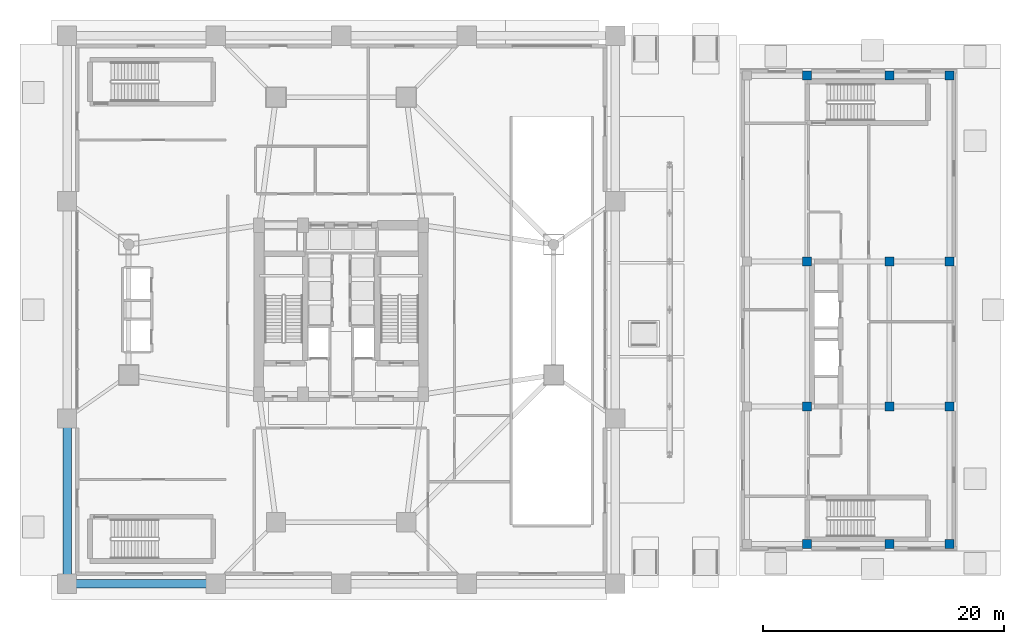
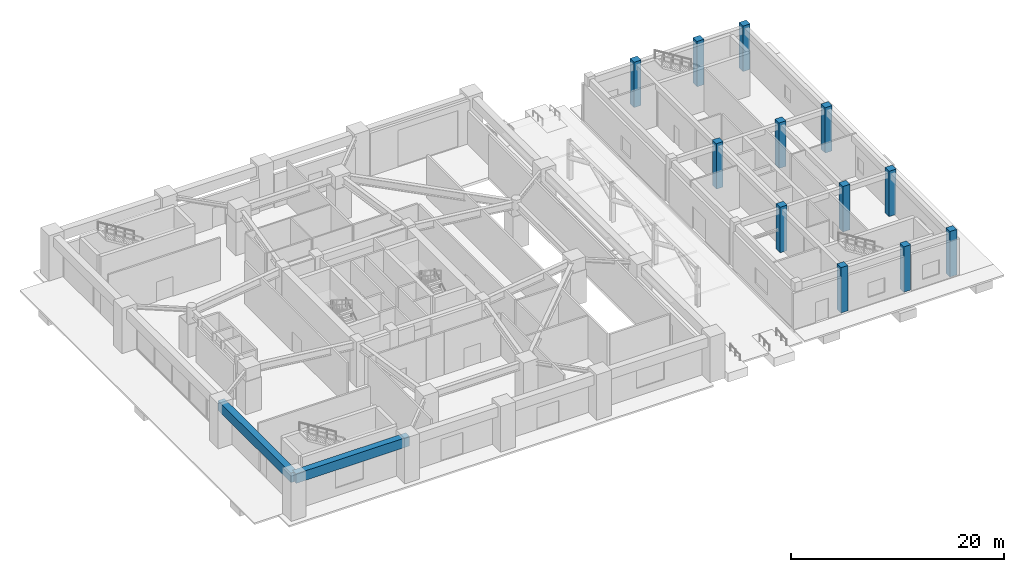
# One storey, part 3 of 27: 12 columns, 2 beams.
"""IFC4 building model written with IfcOpenShell, lengths in metres."""

from ifc_helpers import new_model, si_unit, direction, frame, origin, origin_2d, place, context, subcontext, project, spatial, rectangle, extrude, material, material_profile, profile_set, type_object, element, save


model = new_model("IFC4")

# Units and contexts
model_context = context("Model", 3, precision=1e-05, world=origin(), true_north=direction((0.0, 1.0)))
body_context = subcontext(model_context, "Body", "Model", "MODEL_VIEW")
ifc_project = project(units=[si_unit("LENGTHUNIT", "METRE"), si_unit("AREAUNIT", "SQUARE_METRE"), si_unit("VOLUMEUNIT", "CUBIC_METRE"), si_unit("PLANEANGLEUNIT", "RADIAN"), si_unit("MASSUNIT", "GRAM", prefix="KILO")], contexts=[model_context])

# Site, building, storey
site_placement = place(None, origin())
site = spatial("IfcSite", under=ifc_project, at=site_placement, CompositionType="ELEMENT")
building_placement = place(site_placement, origin())
building = spatial("IfcBuilding", under=site, at=building_placement, Name="Veraguas Prism Commons", CompositionType="ELEMENT")
storey_placement = place(building_placement, origin())
storey = spatial("IfcBuildingStorey", under=building, at=storey_placement, Name="L00", CompositionType="ELEMENT", Elevation=0.0)

# Columns
ifc_material = material(Name="Concrete C50/60", Category="concrete")
ifc_material_profile_1 = material_profile(ifc_material, rectangle(XDim=0.75, YDim=0.75, at=origin_2d()), Name="RC750X750")
ifc_profile_set_1 = profile_set([ifc_material_profile_1], Name="Concrete C50/60")
column_type = type_object("IfcColumnType", Name="Column Clinic RC 750x750", PredefinedType="COLUMN", material=ifc_profile_set_1)
for number, where, z_axis, x_axis, name in (
    (1, (62.60009765625, 4.60009765625, 0.0), (0.0, 0.0, 1.0), (1.0, 0.0, 0.0), "Health Centre Column L00-HC05"),
    (2, (62.60009765625, 16.0, 0.0), (0.0, 0.0, 1.0), (1.0, 0.0, 0.0), "Health Centre Column L00-HC06"),
    (3, (62.60009765625, 28.0, 0.0), (0.0, 0.0, 1.0), (1.0, 0.0, 0.0), "Health Centre Column L00-HC07"),
    (4, (62.60009765625, 43.39990234375, 0.0), (0.0, 0.0, 1.0), (1.0, 0.0, 0.0), "Health Centre Column L00-HC08"),
    (5, (69.39990234375, 4.60009765625, 0.0), (0.0, 0.0, 1.0), (1.0, 0.0, 0.0), "Health Centre Column L00-HC09"),
    (6, (69.39990234375, 16.0, 0.0), (0.0, 0.0, 1.0), (1.0, 0.0, 0.0), "Health Centre Column L00-HC10"),
    (7, (69.39990234375, 28.0, 0.0), (0.0, 0.0, 1.0), (1.0, 0.0, 0.0), "Health Centre Column L00-HC11"),
    (8, (69.39990234375, 43.39990234375, 0.0), (0.0, 0.0, 1.0), (1.0, 0.0, 0.0), "Health Centre Column L00-HC12"),
    (9, (74.39990234375, 4.60009765625, 0.0), (0.0, 0.0, 1.0), (1.0, 0.0, 0.0), "Health Centre Column L00-HC13"),
    (10, (74.39990234375, 16.0, 0.0), (0.0, 0.0, 1.0), (1.0, 0.0, 0.0), "Health Centre Column L00-HC14"),
    (11, (74.39990234375, 28.0, 0.0), (0.0, 0.0, 1.0), (1.0, 0.0, 0.0), "Health Centre Column L00-HC15"),
    (12, (74.39990234375, 43.39990234375, 0.0), (0.0, 0.0, 1.0), (1.0, 0.0, 0.0), "Health Centre Column L00-HC16"),
):
    element("IfcColumn", number, at=place(storey_placement, frame(where, z_axis=z_axis, x_axis=x_axis)), inside=storey, type_object=column_type, Name=name, PredefinedType="COLUMN", context=body_context, shape_type="SweptSolid", body=[
        extrude(rectangle(XDim=0.75, YDim=0.75, at=origin_2d()), origin(), (0.0, 0.0, 1.0), 5.199951171875),
    ])

# Beams
ifc_material_profile_2 = material_profile(ifc_material, rectangle(XDim=0.699951171875, YDim=1.10009765625, at=origin_2d()), Name="RC700X1100")
ifc_profile_set_2 = profile_set([ifc_material_profile_2], Name="Concrete C50/60")
beam_type = type_object("IfcBeamType", Name="Podium Primary Girder RC 700x1100", PredefinedType="BEAM", material=ifc_profile_set_2)
beam_1_placement = place(storey_placement, frame((1.300048828125, 1.300048828125, 4.35009765625), z_axis=(1.0, 0.0, 0.0), x_axis=(0.0, 1.0, 0.0)))
element("IfcBeam", 13, at=beam_1_placement, inside=storey, type_object=beam_type, Name="Podium Perimeter Girder L00-PDR01", PredefinedType="BEAM", context=body_context, shape_type="SweptSolid", body=[
    extrude(rectangle(XDim=0.699951171875, YDim=1.10009765625, at=origin_2d()), origin(), (0.0, 0.0, 1.0), 12.300048828125),
])
beam_2_placement = place(storey_placement, frame((1.300048828125, 15.0, 4.35009765625), z_axis=(0.0, -1.0, 0.0), x_axis=(1.0, 0.0, 0.0)))
element("IfcBeam", 14, at=beam_2_placement, inside=storey, type_object=beam_type, Name="Podium Perimeter Girder L00-PDR14", PredefinedType="BEAM", context=body_context, shape_type="SweptSolid", body=[
    extrude(rectangle(XDim=0.699951171875, YDim=1.10009765625, at=origin_2d()), origin(), (0.0, 0.0, 1.0), 13.699951171875),
])

save(model, "model.ifc")
